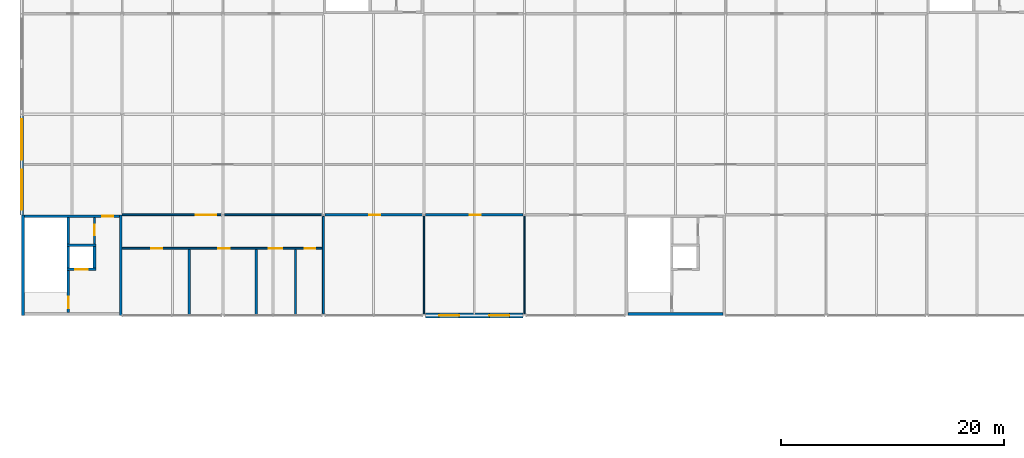
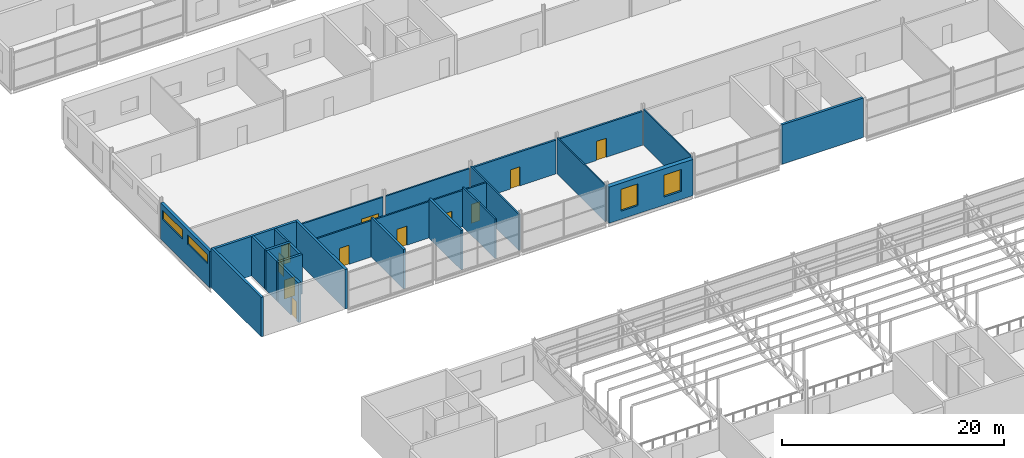
# One storey, part 113 of 138: 22 walls, 11 doors, 4 windows, 15 openings.
"""IFC4 building model written with IfcOpenShell, lengths in metres."""

from ifc_helpers import new_model, si_unit, direction, frame, frame_2d, origin, place, context, subcontext, project, spatial, rectangle, extrude, material, layer, layer_set, type_object, element, fill, save


model = new_model("IFC4")

# Units and contexts
model_context = context("Model", 3, precision=1e-05, world=origin(), true_north=direction((0.0, 1.0)))
body_context = subcontext(model_context, "Body", "Model", "MODEL_VIEW")
ifc_project = project(units=[si_unit("LENGTHUNIT", "METRE"), si_unit("AREAUNIT", "SQUARE_METRE"), si_unit("VOLUMEUNIT", "CUBIC_METRE"), si_unit("PLANEANGLEUNIT", "RADIAN"), si_unit("MASSUNIT", "GRAM", prefix="KILO")], contexts=[model_context])

# Site, building, storey
site_placement = place(None, origin())
site = spatial("IfcSite", under=ifc_project, at=site_placement, CompositionType="ELEMENT")
building_placement = place(site_placement, origin())
building = spatial("IfcBuilding", under=site, at=building_placement, Name="Corbel Yard City Hall", CompositionType="ELEMENT")
storey_placement = place(building_placement, frame((0.0, 0.0, 10.5)))
storey = spatial("IfcBuildingStorey", under=building, at=storey_placement, Name="L02", CompositionType="ELEMENT", Elevation=10.5)

# Walls
ifc_material_1 = material(Name="Concrete N50 (50 MPa)", Category="concrete")
ifc_layer_1 = layer(ifc_material_1, 0.25)
ifc_layer_set_1 = layer_set([ifc_layer_1], Name="Concrete N50 (50 MPa)")
wall_type_1 = type_object("IfcWallType", Name="Core cell wall 250", PredefinedType="SHEAR", material=ifc_layer_set_1)
for number, where, z_axis, x_axis, name in (
    (1, (0.125, 45.0, 0.0), (0.0, 0.0, 1.0), (0.0, 1.0, 0.0), "Core PC-M1 west wall"),
    (2, (8.875, 45.0, 0.0), (0.0, 0.0, 1.0), (0.0, 1.0, 0.0), "Core PC-M1 east wall"),
):
    element("IfcWall", number, at=place(storey_placement, frame(where, z_axis=z_axis, x_axis=x_axis)), inside=storey, type_object=wall_type_1, Name=name, PredefinedType="SHEAR", context=body_context, shape_type="SweptSolid", body=[
        extrude(rectangle(XDim=9.0, YDim=0.25, at=frame_2d((4.5, 0.0))), origin(), (0.0, 0.0, 1.0), 4.35009765625),
    ])

# Wall, opening, door
wall_1_placement = place(storey_placement, frame((0.25, 53.875, 0.0), z_axis=(0.0, 0.0, 1.0), x_axis=(1.0, 0.0, 0.0)))
wall_1 = element("IfcWall", 3, at=wall_1_placement, inside=storey, type_object=wall_type_1, Name="Core PC-M1 north wall", PredefinedType="SHEAR", context=body_context, shape_type="SweptSolid", body=[
    extrude(rectangle(XDim=8.5, YDim=0.25, at=frame_2d((4.25, 0.0))), origin(), (0.0, 0.0, 1.0), 4.35009765625),
])
opening_1_placement = place(wall_1_placement, frame((6.949951171875, 0.0, 0.0)))
opening_1 = element("IfcOpeningElement", 4, at=opening_1_placement, cuts=wall_1, Name="Opening L02-057", PredefinedType="OPENING", context=body_context, shape_type="SweptSolid", body=[
    extrude(rectangle(XDim=1.0, YDim=2.10009765625, at=frame_2d((0.5, 1.050048828125))), frame((0.0, 0.135009765625, 0.0), z_axis=(0.0, -1.0, 0.0), x_axis=(1.0, 0.0, 0.0)), (0.0, 0.0, 1.0), 0.27001953125),
])
ifc_material_2 = material(Name="Steel Grade G250", Category="steel")
door_type_1 = type_object("IfcDoorType", Name="FS1", OperationType="SINGLE_SWING_LEFT", PredefinedType="DOOR", material=ifc_material_2)
door_1_placement = place(opening_1_placement, frame((1.0, 0.0, 0.0), z_axis=(0.0, 0.0, 1.0), x_axis=(-1.0, 0.0, 0.0)))
door_1 = element("IfcDoor", 5, at=door_1_placement, inside=storey, type_object=door_type_1, Name="Door Lift Lobby", OperationType="SINGLE_SWING_RIGHT", OverallHeight=2.10009765625, OverallWidth=1.0, PredefinedType="DOOR", context=body_context, shape_type="SweptSolid", body=[
    extrude(rectangle(XDim=1.0, YDim=2.10009765625, at=frame_2d((0.5, 1.050048828125))), frame((0.0, 0.02490234375, 0.0), z_axis=(0.0, -1.0, 0.0), x_axis=(1.0, 0.0, 0.0)), (0.0, 0.0, 1.0), 0.050048828125),
])
fill(opening_1, door_1)

# Wall
wall_2_placement = place(storey_placement, frame((54.25, 45.125, 0.0), z_axis=(0.0, 0.0, 1.0), x_axis=(1.0, 0.0, 0.0)))
element("IfcWall", 6, at=wall_2_placement, inside=storey, type_object=wall_type_1, Name="Core PC-M2 south wall", PredefinedType="SHEAR", context=body_context, shape_type="SweptSolid", body=[
    extrude(rectangle(XDim=8.5, YDim=0.25, at=frame_2d((4.25, 0.0))), origin(), (0.0, 0.0, 1.0), 4.35009765625),
])

# Wall, openings, windows
ifc_material_3 = material(Name="Sandstone cladding", Category="masonry")
ifc_layer_2 = layer(ifc_material_3, 0.0400390625)
ifc_material_4 = material(Name="Air cavity", Category="air")
ifc_layer_3 = layer(ifc_material_4, 0.0400390625)
ifc_material_5 = material(Name="Concrete block", Category="concrete")
ifc_layer_4 = layer(ifc_material_5, 0.18994140625)
ifc_material_6 = material(Name="Gypsum plasterboard", Category="gypsum")
ifc_layer_5 = layer(ifc_material_6, 0.030029296875)
ifc_layer_set_2 = layer_set([ifc_layer_2, ifc_layer_3, ifc_layer_4, ifc_layer_5], Name="Concrete block")
wall_type_2 = type_object("IfcWallType", Name="EW1", PredefinedType="SOLIDWALL", material=ifc_layer_set_2)
wall_3_placement = place(storey_placement, frame((0.0, 54.0, 0.0), z_axis=(0.0, 0.0, 1.0), x_axis=(0.0, 1.0, 0.0)))
wall_3 = element("IfcWall", 7, at=wall_3_placement, inside=storey, type_object=wall_type_2, Name="External wall", PredefinedType="SOLIDWALL", context=body_context, shape_type="SweptSolid", body=[
    extrude(rectangle(XDim=8.873046875, YDim=0.300048828125, at=frame_2d((4.4365234375, 0.0))), origin(), (0.0, 0.0, 1.0), 3.990966796875),
])
opening_2_placement = place(wall_3_placement, frame((0.449951171875, 0.0, 2.39990234375)))
opening_2 = element("IfcOpeningElement", 8, at=opening_2_placement, cuts=wall_3, Name="Opening WN9", PredefinedType="OPENING", context=body_context, shape_type="SweptSolid", body=[
    extrude(rectangle(XDim=3.60009765625, YDim=1.0, at=frame_2d((1.800048828125, 0.5))), frame((0.0, 0.159912109375, 0.0), z_axis=(0.0, -1.0, 0.0), x_axis=(1.0, 0.0, 0.0)), (0.0, 0.0, 1.0), 0.320068359375),
])
opening_3_placement = place(wall_3_placement, frame((4.949951171875, 0.0, 2.39990234375)))
opening_3 = element("IfcOpeningElement", 9, at=opening_3_placement, cuts=wall_3, Name="Opening WN9", PredefinedType="OPENING", context=body_context, shape_type="SweptSolid", body=[
    extrude(rectangle(XDim=3.60009765625, YDim=1.0, at=frame_2d((1.800048828125, 0.5))), frame((0.0, 0.159912109375, 0.0), z_axis=(0.0, -1.0, 0.0), x_axis=(1.0, 0.0, 0.0)), (0.0, 0.0, 1.0), 0.320068359375),
])
ifc_material_7 = material(Name="Aluminium frame, double glazed low-e glass with fritted upper pane", Category="aluminium")
window_type_1 = type_object("IfcWindowType", Name="WN9", PartitioningType="SINGLE_PANEL", PredefinedType="WINDOW", material=ifc_material_7)
window_1_placement = place(opening_2_placement, origin())
window_1 = element("IfcWindow", 10, at=window_1_placement, inside=storey, type_object=window_type_1, Name="Window WN9 L02", OverallHeight=1.0, OverallWidth=3.60009765625, PartitioningType="SINGLE_PANEL", PredefinedType="WINDOW", context=body_context, shape_type="SweptSolid", body=[
    extrude(rectangle(XDim=3.60009765625, YDim=1.0, at=frame_2d((1.800048828125, 0.5))), frame((0.0, 0.030029296875, 0.0), z_axis=(0.0, -1.0, 0.0), x_axis=(1.0, 0.0, 0.0)), (0.0, 0.0, 1.0), 0.06005859375),
])
fill(opening_2, window_1)
window_2_placement = place(opening_3_placement, origin())
window_2 = element("IfcWindow", 11, at=window_2_placement, inside=storey, type_object=window_type_1, Name="Window WN9 L02", OverallHeight=1.0, OverallWidth=3.60009765625, PartitioningType="SINGLE_PANEL", PredefinedType="WINDOW", context=body_context, shape_type="SweptSolid", body=[
    extrude(rectangle(XDim=3.60009765625, YDim=1.0, at=frame_2d((1.800048828125, 0.5))), frame((0.0, 0.030029296875, 0.0), z_axis=(0.0, -1.0, 0.0), x_axis=(1.0, 0.0, 0.0)), (0.0, 0.0, 1.0), 0.06005859375),
])
fill(opening_3, window_2)

ifc_layer_6 = layer(ifc_material_3, 0.06005859375)
ifc_layer_7 = layer(ifc_material_4, 0.0400390625)
ifc_material_8 = material(Name="Concrete N40 (40 MPa)", Category="concrete")
ifc_layer_8 = layer(ifc_material_8, 0.25)
ifc_material_9 = material(Name="Mineral wool", Category="insulation")
ifc_layer_9 = layer(ifc_material_9, 0.10009765625)
ifc_layer_set_3 = layer_set([ifc_layer_6, ifc_layer_7, ifc_layer_8, ifc_layer_9], Name="Concrete N40 (40 MPa)")
wall_type_3 = type_object("IfcWallType", Name="EW2", PredefinedType="SOLIDWALL", material=ifc_layer_set_3)
wall_4_placement = place(storey_placement, frame((36.126953125, 45.0, 0.0), z_axis=(0.0, 0.0, 1.0), x_axis=(1.0, 0.0, 0.0)))
wall_4 = element("IfcWall", 12, at=wall_4_placement, inside=storey, type_object=wall_type_3, Name="Entrance pier wall", PredefinedType="SOLIDWALL", context=body_context, shape_type="SweptSolid", body=[
    extrude(rectangle(XDim=8.74609375, YDim=0.449951171875, at=frame_2d((4.373046875, 0.0))), origin(), (0.0, 0.0, 1.0), 3.990966796875),
])
opening_4_placement = place(wall_4_placement, frame((1.222900390625, 0.0, 0.89990234375)))
opening_4 = element("IfcOpeningElement", 13, at=opening_4_placement, cuts=wall_4, Name="Opening WN1", PredefinedType="OPENING", context=body_context, shape_type="SweptSolid", body=[
    extrude(rectangle(XDim=1.800048828125, YDim=2.39990234375, at=frame_2d((0.89990234375, 1.199951171875))), frame((0.0, 0.23486328125, 0.0), z_axis=(0.0, -1.0, 0.0), x_axis=(1.0, 0.0, 0.0)), (0.0, 0.0, 1.0), 0.469970703125),
])
opening_5_placement = place(wall_4_placement, frame((5.722900390625, 0.0, 0.89990234375)))
opening_5 = element("IfcOpeningElement", 14, at=opening_5_placement, cuts=wall_4, Name="Opening WN1", PredefinedType="OPENING", context=body_context, shape_type="SweptSolid", body=[
    extrude(rectangle(XDim=1.800048828125, YDim=2.39990234375, at=frame_2d((0.89990234375, 1.199951171875))), frame((0.0, 0.23486328125, 0.0), z_axis=(0.0, -1.0, 0.0), x_axis=(1.0, 0.0, 0.0)), (0.0, 0.0, 1.0), 0.469970703125),
])
ifc_material_10 = material(Name="Aluminium frame, double glazed low-e glass", Category="aluminium")
window_type_2 = type_object("IfcWindowType", Name="WN1", PartitioningType="SINGLE_PANEL", PredefinedType="WINDOW", material=ifc_material_10)
window_3_placement = place(opening_4_placement, origin())
window_3 = element("IfcWindow", 15, at=window_3_placement, inside=storey, type_object=window_type_2, Name="Window WN1 L02", OverallHeight=2.39990234375, OverallWidth=1.800048828125, PartitioningType="SINGLE_PANEL", PredefinedType="WINDOW", context=body_context, shape_type="SweptSolid", body=[
    extrude(rectangle(XDim=1.800048828125, YDim=2.39990234375, at=frame_2d((0.89990234375, 1.199951171875))), frame((0.0, 0.030029296875, 0.0), z_axis=(0.0, -1.0, 0.0), x_axis=(1.0, 0.0, 0.0)), (0.0, 0.0, 1.0), 0.06005859375),
])
fill(opening_4, window_3)
window_4_placement = place(opening_5_placement, origin())
window_4 = element("IfcWindow", 16, at=window_4_placement, inside=storey, type_object=window_type_2, Name="Window WN1 L02", OverallHeight=2.39990234375, OverallWidth=1.800048828125, PartitioningType="SINGLE_PANEL", PredefinedType="WINDOW", context=body_context, shape_type="SweptSolid", body=[
    extrude(rectangle(XDim=1.800048828125, YDim=2.39990234375, at=frame_2d((0.89990234375, 1.199951171875))), frame((0.0, 0.030029296875, 0.0), z_axis=(0.0, -1.0, 0.0), x_axis=(1.0, 0.0, 0.0)), (0.0, 0.0, 1.0), 0.06005859375),
])
fill(opening_5, window_4)

# Wall, opening, door
ifc_layer_10 = layer(ifc_material_8, 0.25)
ifc_layer_set_4 = layer_set([ifc_layer_10], Name="Concrete N40 (40 MPa)")
wall_type_4 = type_object("IfcWallType", Name="IW2", PredefinedType="SOLIDWALL", material=ifc_layer_set_4)
wall_5_placement = place(storey_placement, frame((4.175048828125, 45.25, 0.0), z_axis=(0.0, 0.0, 1.0), x_axis=(0.0, 1.0, 0.0)))
wall_5 = element("IfcWall", 17, at=wall_5_placement, inside=storey, type_object=wall_type_4, Name="Stair enclosure wall", PredefinedType="SOLIDWALL", context=body_context, shape_type="SweptSolid", body=[
    extrude(rectangle(XDim=8.5, YDim=0.25, at=frame_2d((4.25, 0.0))), origin(), (0.0, 0.0, 1.0), 4.35009765625),
])
opening_6_placement = place(wall_5_placement, frame((0.39990234375, 0.0, 0.0)))
opening_6 = element("IfcOpeningElement", 18, at=opening_6_placement, cuts=wall_5, Name="Opening L02-056", PredefinedType="OPENING", context=body_context, shape_type="SweptSolid", body=[
    extrude(rectangle(XDim=1.0, YDim=2.10009765625, at=frame_2d((0.5, 1.050048828125))), frame((0.0, 0.135009765625, 0.0), z_axis=(0.0, -1.0, 0.0), x_axis=(1.0, 0.0, 0.0)), (0.0, 0.0, 1.0), 0.27001953125),
])
door_2_placement = place(opening_6_placement, origin())
door_2 = element("IfcDoor", 19, at=door_2_placement, inside=storey, type_object=door_type_1, Name="Door Exit Stair 8", OperationType="SINGLE_SWING_LEFT", OverallHeight=2.10009765625, OverallWidth=1.0, PredefinedType="DOOR", context=body_context, shape_type="SweptSolid", body=[
    extrude(rectangle(XDim=1.0, YDim=2.10009765625, at=frame_2d((0.5, 1.050048828125))), frame((0.0, 0.02490234375, 0.0), z_axis=(0.0, -1.0, 0.0), x_axis=(1.0, 0.0, 0.0)), (0.0, 0.0, 1.0), 0.050048828125),
])
fill(opening_6, door_2)

wall_6_placement = place(storey_placement, frame((4.050048828125, 49.125, 0.0), z_axis=(0.0, 0.0, 1.0), x_axis=(1.0, 0.0, 0.0)))
wall_6 = element("IfcWall", 20, at=wall_6_placement, inside=storey, type_object=wall_type_4, Name="Lift LP8 shaft wall", PredefinedType="SOLIDWALL", context=body_context, shape_type="SweptSolid", body=[
    extrude(rectangle(XDim=2.599853515625, YDim=0.25, at=frame_2d((1.2998046875, 0.0))), origin(), (0.0, 0.0, 1.0), 4.35009765625),
])
opening_7_placement = place(wall_6_placement, frame((0.75, 0.0, 0.0)))
opening_7 = element("IfcOpeningElement", 21, at=opening_7_placement, cuts=wall_6, Name="Opening L02-048", PredefinedType="OPENING", context=body_context, shape_type="SweptSolid", body=[
    extrude(rectangle(XDim=1.10009765625, YDim=2.10009765625, at=frame_2d((0.550048828125, 1.050048828125))), frame((0.0, 0.135009765625, 0.0), z_axis=(0.0, -1.0, 0.0), x_axis=(1.0, 0.0, 0.0)), (0.0, 0.0, 1.0), 0.27001953125),
])
ifc_material_11 = material(Name="Stainless steel Grade 316", Category="steel")
door_type_2 = type_object("IfcDoorType", Name="LD1", OperationType="DOUBLE_DOOR_SLIDING", PredefinedType="DOOR", material=ifc_material_11)
door_3_placement = place(opening_7_placement, origin())
door_3 = element("IfcDoor", 22, at=door_3_placement, inside=storey, type_object=door_type_2, Name="Lift LP8 landing door", OperationType="DOUBLE_DOOR_SLIDING", OverallHeight=2.10009765625, OverallWidth=1.10009765625, PredefinedType="DOOR", context=body_context, shape_type="SweptSolid", body=[
    extrude(rectangle(XDim=1.10009765625, YDim=2.10009765625, at=frame_2d((0.550048828125, 1.050048828125))), frame((0.0, 0.02490234375, 0.0), z_axis=(0.0, -1.0, 0.0), x_axis=(1.0, 0.0, 0.0)), (0.0, 0.0, 1.0), 0.050048828125),
])
fill(opening_7, door_3)

# Walls
wall_7_placement = place(storey_placement, frame((4.050048828125, 51.27490234375, 0.0), z_axis=(0.0, 0.0, 1.0), x_axis=(1.0, 0.0, 0.0)))
element("IfcWall", 23, at=wall_7_placement, inside=storey, type_object=wall_type_4, Name="Lift LP8 shaft wall", PredefinedType="SOLIDWALL", context=body_context, shape_type="SweptSolid", body=[
    extrude(rectangle(XDim=2.599853515625, YDim=0.25, at=frame_2d((1.2998046875, 0.0))), origin(), (0.0, 0.0, 1.0), 4.35009765625),
])
wall_8_placement = place(storey_placement, frame((6.52490234375, 49.25, 0.0), z_axis=(0.0, 0.0, 1.0), x_axis=(0.0, 1.0, 0.0)))
element("IfcWall", 24, at=wall_8_placement, inside=storey, type_object=wall_type_4, Name="Lift LP8 shaft wall", PredefinedType="SOLIDWALL", context=body_context, shape_type="SweptSolid", body=[
    extrude(rectangle(XDim=1.89990234375, YDim=0.25, at=frame_2d((0.949951171875, 0.0))), origin(), (0.0, 0.0, 1.0), 4.35009765625),
])
ifc_layer_11 = layer(ifc_material_6, 0.028076171875)
ifc_material_12 = material(Name="Steel Grade G550 (550 MPa yield)", Category="steel")
ifc_layer_12 = layer(ifc_material_12, 0.06396484375)
ifc_layer_13 = layer(ifc_material_6, 0.028076171875)
ifc_layer_set_5 = layer_set([ifc_layer_11, ifc_layer_12, ifc_layer_13], Name="Steel Grade G550 (550 MPa yield)")
wall_type_5 = type_object("IfcWallType", Name="PT1", PredefinedType="PARTITIONING", material=ifc_layer_set_5)
for number, where, z_axis, x_axis, name in (
    (25, (36.0, 45.126953125, 0.0), (0.0, 0.0, 1.0), (0.0, 1.0, 0.0), "Partition"),
    (26, (45.0, 45.126953125, 0.0), (0.0, 0.0, 1.0), (0.0, 1.0, 0.0), "Partition"),
):
    element("IfcWall", number, at=place(storey_placement, frame(where, z_axis=z_axis, x_axis=x_axis)), inside=storey, type_object=wall_type_5, Name=name, PredefinedType="PARTITIONING", context=body_context, shape_type="SweptSolid", body=[
        extrude(rectangle(XDim=8.7431640625, YDim=0.1201171875, at=frame_2d((4.37158203125, 0.0))), origin(), (0.0, 0.0, 1.0), 3.998046875),
    ])

# Wall, opening, door
ifc_layer_14 = layer(ifc_material_6, 0.031982421875)
ifc_layer_15 = layer(ifc_material_12, 0.135986328125)
ifc_layer_16 = layer(ifc_material_6, 0.031982421875)
ifc_layer_set_6 = layer_set([ifc_layer_14, ifc_layer_15, ifc_layer_16], Name="Steel Grade G550 (550 MPa yield)")
wall_type_6 = type_object("IfcWallType", Name="PT2", PredefinedType="PARTITIONING", material=ifc_layer_set_6)
wall_9_placement = place(storey_placement, frame((27.1298828125, 54.0, 0.0), z_axis=(0.0, 0.0, 1.0), x_axis=(1.0, 0.0, 0.0)))
wall_9 = element("IfcWall", 27, at=wall_9_placement, inside=storey, type_object=wall_type_6, Name="Acoustic wall", PredefinedType="PARTITIONING", context=body_context, shape_type="SweptSolid", body=[
    extrude(rectangle(XDim=8.740234375, YDim=0.199951171875, at=frame_2d((4.3701171875, 0.0))), origin(), (0.0, 0.0, 1.0), 3.738037109375),
])
opening_8_placement = place(wall_9_placement, frame((3.969970703125, 0.0, 0.0)))
opening_8 = element("IfcOpeningElement", 28, at=opening_8_placement, cuts=wall_9, Name="Opening L02-072", PredefinedType="OPENING", context=body_context, shape_type="SweptSolid", body=[
    extrude(rectangle(XDim=1.0, YDim=2.10009765625, at=frame_2d((0.5, 1.050048828125))), frame((0.0, 0.10986328125, 0.0), z_axis=(0.0, -1.0, 0.0), x_axis=(1.0, 0.0, 0.0)), (0.0, 0.0, 1.0), 0.219970703125),
])
ifc_material_13 = material(Name="Timber", Category="wood")
door_type_3 = type_object("IfcDoorType", Name="D1", OperationType="SINGLE_SWING_LEFT", PredefinedType="DOOR", material=ifc_material_13)
door_4_placement = place(opening_8_placement, frame((1.0, 0.0, 0.0), z_axis=(0.0, 0.0, 1.0), x_axis=(-1.0, 0.0, 0.0)))
door_4 = element("IfcDoor", 29, at=door_4_placement, inside=storey, type_object=door_type_3, Name="Door Study Carrel 1", OperationType="SINGLE_SWING_LEFT", OverallHeight=2.10009765625, OverallWidth=1.0, PredefinedType="DOOR", context=body_context, shape_type="SweptSolid", body=[
    extrude(rectangle(XDim=1.0, YDim=2.10009765625, at=frame_2d((0.5, 1.050048828125))), frame((0.0, 0.02490234375, 0.0), z_axis=(0.0, -1.0, 0.0), x_axis=(1.0, 0.0, 0.0)), (0.0, 0.0, 1.0), 0.050048828125),
])
fill(opening_8, door_4)

wall_10_placement = place(storey_placement, frame((36.1298828125, 54.0, 0.0), z_axis=(0.0, 0.0, 1.0), x_axis=(1.0, 0.0, 0.0)))
wall_10 = element("IfcWall", 30, at=wall_10_placement, inside=storey, type_object=wall_type_6, Name="Acoustic wall", PredefinedType="PARTITIONING", context=body_context, shape_type="SweptSolid", body=[
    extrude(rectangle(XDim=8.740234375, YDim=0.199951171875, at=frame_2d((4.3701171875, 0.0))), origin(), (0.0, 0.0, 1.0), 3.738037109375),
])
opening_9_placement = place(wall_10_placement, frame((3.969970703125, 0.0, 0.0)))
opening_9 = element("IfcOpeningElement", 31, at=opening_9_placement, cuts=wall_10, Name="Opening L02-073", PredefinedType="OPENING", context=body_context, shape_type="SweptSolid", body=[
    extrude(rectangle(XDim=1.0, YDim=2.10009765625, at=frame_2d((0.5, 1.050048828125))), frame((0.0, 0.10986328125, 0.0), z_axis=(0.0, -1.0, 0.0), x_axis=(1.0, 0.0, 0.0)), (0.0, 0.0, 1.0), 0.219970703125),
])
door_5_placement = place(opening_9_placement, frame((1.0, 0.0, 0.0), z_axis=(0.0, 0.0, 1.0), x_axis=(-1.0, 0.0, 0.0)))
door_5 = element("IfcDoor", 32, at=door_5_placement, inside=storey, type_object=door_type_3, Name="Door Study Carrel 2", OperationType="SINGLE_SWING_LEFT", OverallHeight=2.10009765625, OverallWidth=1.0, PredefinedType="DOOR", context=body_context, shape_type="SweptSolid", body=[
    extrude(rectangle(XDim=1.0, YDim=2.10009765625, at=frame_2d((0.5, 1.050048828125))), frame((0.0, 0.02490234375, 0.0), z_axis=(0.0, -1.0, 0.0), x_axis=(1.0, 0.0, 0.0)), (0.0, 0.0, 1.0), 0.050048828125),
])
fill(opening_9, door_5)

# Wall, openings, doors
ifc_layer_17 = layer(ifc_material_6, 0.031982421875)
ifc_layer_18 = layer(ifc_material_12, 0.095947265625)
ifc_layer_19 = layer(ifc_material_6, 0.031982421875)
ifc_layer_set_7 = layer_set([ifc_layer_17, ifc_layer_18, ifc_layer_19], Name="Steel Grade G550 (550 MPa yield)")
wall_type_7 = type_object("IfcWallType", Name="PT3", PredefinedType="PARTITIONING", material=ifc_layer_set_7)
wall_11_placement = place(storey_placement, frame((9.0, 51.0, 0.0), z_axis=(0.0, 0.0, 1.0), x_axis=(1.0, 0.0, 0.0)))
wall_11 = element("IfcWall", 33, at=wall_11_placement, inside=storey, type_object=wall_type_7, Name="Fire-resisting wall", PredefinedType="PARTITIONING", context=body_context, shape_type="SweptSolid", body=[
    extrude(rectangle(XDim=17.919921875, YDim=0.159912109375, at=frame_2d((8.9599609375, 0.0))), origin(), (0.0, 0.0, 1.0), 3.998046875),
])
opening_10_placement = place(wall_11_placement, frame((2.60009765625, 0.0, 0.0)))
opening_10 = element("IfcOpeningElement", 34, at=opening_10_placement, cuts=wall_11, Name="Opening L02-068", PredefinedType="OPENING", context=body_context, shape_type="SweptSolid", body=[
    extrude(rectangle(XDim=1.0, YDim=2.10009765625, at=frame_2d((0.5, 1.050048828125))), frame((0.0, 0.08984375, 0.0), z_axis=(0.0, -1.0, 0.0), x_axis=(1.0, 0.0, 0.0)), (0.0, 0.0, 1.0), 0.179931640625),
])
opening_11_placement = place(wall_11_placement, frame((8.60009765625, 0.0, 0.0)))
opening_11 = element("IfcOpeningElement", 35, at=opening_11_placement, cuts=wall_11, Name="Opening L02-069", PredefinedType="OPENING", context=body_context, shape_type="SweptSolid", body=[
    extrude(rectangle(XDim=1.0, YDim=2.10009765625, at=frame_2d((0.5, 1.050048828125))), frame((0.0, 0.08984375, 0.0), z_axis=(0.0, -1.0, 0.0), x_axis=(1.0, 0.0, 0.0)), (0.0, 0.0, 1.0), 0.179931640625),
])
opening_12_placement = place(wall_11_placement, frame((13.10009765625, 0.0, 0.0)))
opening_12 = element("IfcOpeningElement", 36, at=opening_12_placement, cuts=wall_11, Name="Opening L02-070", PredefinedType="OPENING", context=body_context, shape_type="SweptSolid", body=[
    extrude(rectangle(XDim=1.199951171875, YDim=2.10009765625, at=frame_2d((0.60009765625, 1.050048828125))), frame((0.0, 0.08984375, 0.0), z_axis=(0.0, -1.0, 0.0), x_axis=(1.0, 0.0, 0.0)), (0.0, 0.0, 1.0), 0.179931640625),
])
opening_13_placement = place(wall_11_placement, frame((16.35009765625, 0.0, 0.0)))
opening_13 = element("IfcOpeningElement", 37, at=opening_13_placement, cuts=wall_11, Name="Opening L02-071", PredefinedType="OPENING", context=body_context, shape_type="SweptSolid", body=[
    extrude(rectangle(XDim=0.919921875, YDim=2.10009765625, at=frame_2d((0.4599609375, 1.050048828125))), frame((0.0, 0.08984375, 0.0), z_axis=(0.0, -1.0, 0.0), x_axis=(1.0, 0.0, 0.0)), (0.0, 0.0, 1.0), 0.179931640625),
])
door_type_4 = type_object("IfcDoorType", Name="FD1", OperationType="SINGLE_SWING_LEFT", PredefinedType="DOOR", material=ifc_material_2)
door_6_placement = place(opening_10_placement, frame((1.0, 0.0, 0.0), z_axis=(0.0, 0.0, 1.0), x_axis=(-1.0, 0.0, 0.0)))
door_6 = element("IfcDoor", 38, at=door_6_placement, inside=storey, type_object=door_type_4, Name="Door Women's WC", OperationType="SINGLE_SWING_LEFT", OverallHeight=2.10009765625, OverallWidth=1.0, PredefinedType="DOOR", context=body_context, shape_type="SweptSolid", body=[
    extrude(rectangle(XDim=1.0, YDim=2.10009765625, at=frame_2d((0.5, 1.050048828125))), frame((0.0, 0.02490234375, 0.0), z_axis=(0.0, -1.0, 0.0), x_axis=(1.0, 0.0, 0.0)), (0.0, 0.0, 1.0), 0.050048828125),
])
fill(opening_10, door_6)
door_7_placement = place(opening_11_placement, frame((1.0, 0.0, 0.0), z_axis=(0.0, 0.0, 1.0), x_axis=(-1.0, 0.0, 0.0)))
door_7 = element("IfcDoor", 39, at=door_7_placement, inside=storey, type_object=door_type_4, Name="Door Men's WC", OperationType="SINGLE_SWING_LEFT", OverallHeight=2.10009765625, OverallWidth=1.0, PredefinedType="DOOR", context=body_context, shape_type="SweptSolid", body=[
    extrude(rectangle(XDim=1.0, YDim=2.10009765625, at=frame_2d((0.5, 1.050048828125))), frame((0.0, 0.02490234375, 0.0), z_axis=(0.0, -1.0, 0.0), x_axis=(1.0, 0.0, 0.0)), (0.0, 0.0, 1.0), 0.050048828125),
])
fill(opening_11, door_7)
door_type_5 = type_object("IfcDoorType", Name="FD5", OperationType="SINGLE_SWING_RIGHT", PredefinedType="DOOR", material=ifc_material_2)
door_8_placement = place(opening_13_placement, frame((0.919921875, 0.0, 0.0), z_axis=(0.0, 0.0, 1.0), x_axis=(-1.0, 0.0, 0.0)))
door_8 = element("IfcDoor", 40, at=door_8_placement, inside=storey, type_object=door_type_5, Name="Door Cleaners' Store", OperationType="SINGLE_SWING_LEFT", OverallHeight=2.10009765625, OverallWidth=0.919921875, PredefinedType="DOOR", context=body_context, shape_type="SweptSolid", body=[
    extrude(rectangle(XDim=0.919921875, YDim=2.10009765625, at=frame_2d((0.4599609375, 1.050048828125))), frame((0.0, 0.02490234375, 0.0), z_axis=(0.0, -1.0, 0.0), x_axis=(1.0, 0.0, 0.0)), (0.0, 0.0, 1.0), 0.050048828125),
])
fill(opening_13, door_8)
door_type_6 = type_object("IfcDoorType", Name="FD7", OperationType="SINGLE_SWING_LEFT", PredefinedType="DOOR", material=ifc_material_2)
door_9_placement = place(opening_12_placement, frame((1.199951171875, 0.0, 0.0), z_axis=(0.0, 0.0, 1.0), x_axis=(-1.0, 0.0, 0.0)))
door_9 = element("IfcDoor", 41, at=door_9_placement, inside=storey, type_object=door_type_6, Name="Door Accessible WC", OperationType="SINGLE_SWING_RIGHT", OverallHeight=2.10009765625, OverallWidth=1.199951171875, PredefinedType="DOOR", context=body_context, shape_type="SweptSolid", body=[
    extrude(rectangle(XDim=1.199951171875, YDim=2.10009765625, at=frame_2d((0.60009765625, 1.050048828125))), frame((0.0, 0.02490234375, 0.0), z_axis=(0.0, -1.0, 0.0), x_axis=(1.0, 0.0, 0.0)), (0.0, 0.0, 1.0), 0.050048828125),
])
fill(opening_12, door_9)

# Wall, opening, door
wall_12_placement = place(storey_placement, frame((9.0, 54.0, 0.0), z_axis=(0.0, 0.0, 1.0), x_axis=(1.0, 0.0, 0.0)))
wall_12 = element("IfcWall", 42, at=wall_12_placement, inside=storey, type_object=wall_type_7, Name="Fire-resisting wall", PredefinedType="PARTITIONING", context=body_context, shape_type="SweptSolid", body=[
    extrude(rectangle(XDim=8.8701171875, YDim=0.159912109375, at=frame_2d((4.43505859375, 0.0))), origin(), (0.0, 0.0, 1.0), 3.738037109375),
])
opening_14_placement = place(wall_12_placement, frame((6.60009765625, 0.0, 0.0)))
opening_14 = element("IfcOpeningElement", 43, at=opening_14_placement, cuts=wall_12, Name="Opening L02-067", PredefinedType="OPENING", context=body_context, shape_type="SweptSolid", body=[
    extrude(rectangle(XDim=1.800048828125, YDim=2.10009765625, at=frame_2d((0.89990234375, 1.050048828125))), frame((0.0, 0.08984375, 0.0), z_axis=(0.0, -1.0, 0.0), x_axis=(1.0, 0.0, 0.0)), (0.0, 0.0, 1.0), 0.179931640625),
])
door_type_7 = type_object("IfcDoorType", Name="FD3", OperationType="DOUBLE_DOOR_SINGLE_SWING", PredefinedType="DOOR", material=ifc_material_2)
door_10_placement = place(opening_14_placement, origin())
door_10 = element("IfcDoor", 44, at=door_10_placement, inside=storey, type_object=door_type_7, Name="Door WC Lobby", OperationType="DOUBLE_DOOR_SINGLE_SWING", OverallHeight=2.10009765625, OverallWidth=1.800048828125, PredefinedType="DOOR", context=body_context, shape_type="SweptSolid", body=[
    extrude(rectangle(XDim=1.800048828125, YDim=2.10009765625, at=frame_2d((0.89990234375, 1.050048828125))), frame((0.0, 0.02490234375, 0.0), z_axis=(0.0, -1.0, 0.0), x_axis=(1.0, 0.0, 0.0)), (0.0, 0.0, 1.0), 0.050048828125),
])
fill(opening_14, door_10)

# Walls
wall_13_placement = place(storey_placement, frame((18.1298828125, 54.0, 0.0), z_axis=(0.0, 0.0, 1.0), x_axis=(1.0, 0.0, 0.0)))
element("IfcWall", 45, at=wall_13_placement, inside=storey, type_object=wall_type_7, Name="Fire-resisting wall", PredefinedType="PARTITIONING", context=body_context, shape_type="SweptSolid", body=[
    extrude(rectangle(XDim=8.740234375, YDim=0.159912109375, at=frame_2d((4.3701171875, 0.0))), origin(), (0.0, 0.0, 1.0), 3.738037109375),
])
wall_14_placement = place(storey_placement, frame((24.5, 45.10009765625, 0.0), z_axis=(0.0, 0.0, 1.0), x_axis=(0.0, 1.0, 0.0)))
element("IfcWall", 46, at=wall_14_placement, inside=storey, type_object=wall_type_7, Name="Fire-resisting wall", PredefinedType="PARTITIONING", context=body_context, shape_type="SweptSolid", body=[
    extrude(rectangle(XDim=5.81982421875, YDim=0.159912109375, at=frame_2d((2.909912109375, 0.0))), origin(), (0.0, 0.0, 1.0), 4.35009765625),
])
wall_15_placement = place(storey_placement, frame((27.0, 45.126953125, 0.0), z_axis=(0.0, 0.0, 1.0), x_axis=(0.0, 1.0, 0.0)))
element("IfcWall", 47, at=wall_15_placement, inside=storey, type_object=wall_type_7, Name="Fire-resisting wall", PredefinedType="PARTITIONING", context=body_context, shape_type="SweptSolid", body=[
    extrude(rectangle(XDim=8.7431640625, YDim=0.159912109375, at=frame_2d((4.37158203125, 0.0))), origin(), (0.0, 0.0, 1.0), 3.998046875),
])

# Wall, opening, door
ifc_material_14 = material(Name="Concrete block", Category="concrete")
ifc_layer_20 = layer(ifc_material_14, 0.18994140625)
ifc_layer_set_8 = layer_set([ifc_layer_20], Name="Concrete block")
wall_type_8 = type_object("IfcWallType", Name="PT4", PredefinedType="PARTITIONING", material=ifc_layer_set_8)
wall_16_placement = place(storey_placement, frame((6.52490234375, 51.39990234375, 0.0), z_axis=(0.0, 0.0, 1.0), x_axis=(0.0, 1.0, 0.0)))
wall_16 = element("IfcWall", 48, at=wall_16_placement, inside=storey, type_object=wall_type_8, Name="Fire-resisting block wall", PredefinedType="PARTITIONING", context=body_context, shape_type="SweptSolid", body=[
    extrude(rectangle(XDim=2.35009765625, YDim=0.18994140625, at=frame_2d((1.175048828125, 0.0))), origin(), (0.0, 0.0, 1.0), 4.35009765625),
])
opening_15_placement = place(wall_16_placement, frame((0.777587890625, 0.0, 0.0)))
opening_15 = element("IfcOpeningElement", 49, at=opening_15_placement, cuts=wall_16, Name="Opening L02-058", PredefinedType="OPENING", context=body_context, shape_type="SweptSolid", body=[
    extrude(rectangle(XDim=0.919921875, YDim=2.10009765625, at=frame_2d((0.4599609375, 1.050048828125))), frame((0.0, 0.10498046875, 0.0), z_axis=(0.0, -1.0, 0.0), x_axis=(1.0, 0.0, 0.0)), (0.0, 0.0, 1.0), 0.2099609375),
])
door_type_8 = type_object("IfcDoorType", Name="FS5", OperationType="SINGLE_SWING_RIGHT", PredefinedType="DOOR", material=ifc_material_2)
door_11_placement = place(opening_15_placement, origin())
door_11 = element("IfcDoor", 50, at=door_11_placement, inside=storey, type_object=door_type_8, Name="Door Service Riser", OperationType="SINGLE_SWING_RIGHT", OverallHeight=2.10009765625, OverallWidth=0.919921875, PredefinedType="DOOR", context=body_context, shape_type="SweptSolid", body=[
    extrude(rectangle(XDim=0.919921875, YDim=2.10009765625, at=frame_2d((0.4599609375, 1.050048828125))), frame((0.0, 0.02490234375, 0.0), z_axis=(0.0, -1.0, 0.0), x_axis=(1.0, 0.0, 0.0)), (0.0, 0.0, 1.0), 0.050048828125),
])
fill(opening_15, door_11)

# Walls
ifc_layer_21 = layer(ifc_material_6, 0.031982421875)
ifc_layer_22 = layer(ifc_material_12, 0.156005859375)
ifc_layer_23 = layer(ifc_material_6, 0.031982421875)
ifc_layer_set_9 = layer_set([ifc_layer_21, ifc_layer_22, ifc_layer_23], Name="Steel Grade G550 (550 MPa yield)")
wall_type_9 = type_object("IfcWallType", Name="PT5", PredefinedType="PLUMBINGWALL", material=ifc_layer_set_9)
for number, where, z_axis, x_axis, name in (
    (51, (15.0, 45.10009765625, 0.0), (0.0, 0.0, 1.0), (0.0, 1.0, 0.0), "Wet wall"),
    (52, (21.0, 45.10009765625, 0.0), (0.0, 0.0, 1.0), (0.0, 1.0, 0.0), "Wet wall"),
):
    element("IfcWall", number, at=place(storey_placement, frame(where, z_axis=z_axis, x_axis=x_axis)), inside=storey, type_object=wall_type_9, Name=name, PredefinedType="PLUMBINGWALL", context=body_context, shape_type="SweptSolid", body=[
        extrude(rectangle(XDim=5.81982421875, YDim=0.219970703125, at=frame_2d((2.909912109375, 0.0))), origin(), (0.0, 0.0, 1.0), 4.35009765625),
    ])

save(model, "model.ifc")
